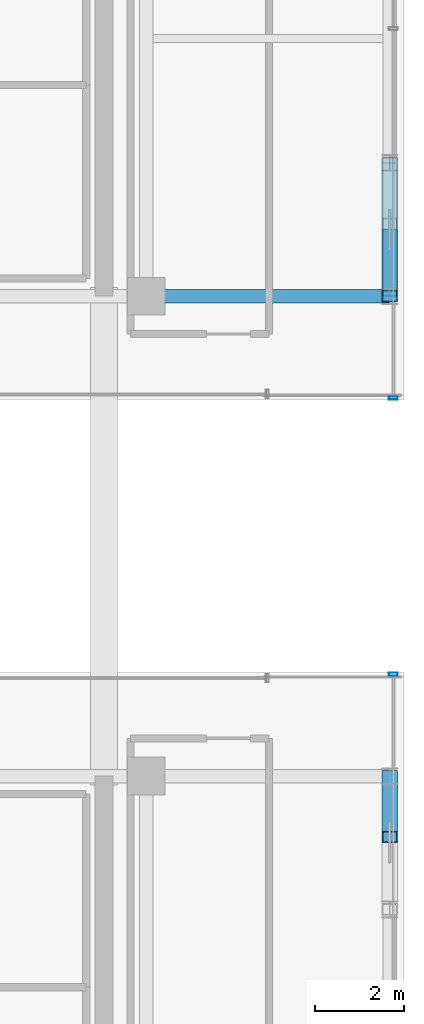
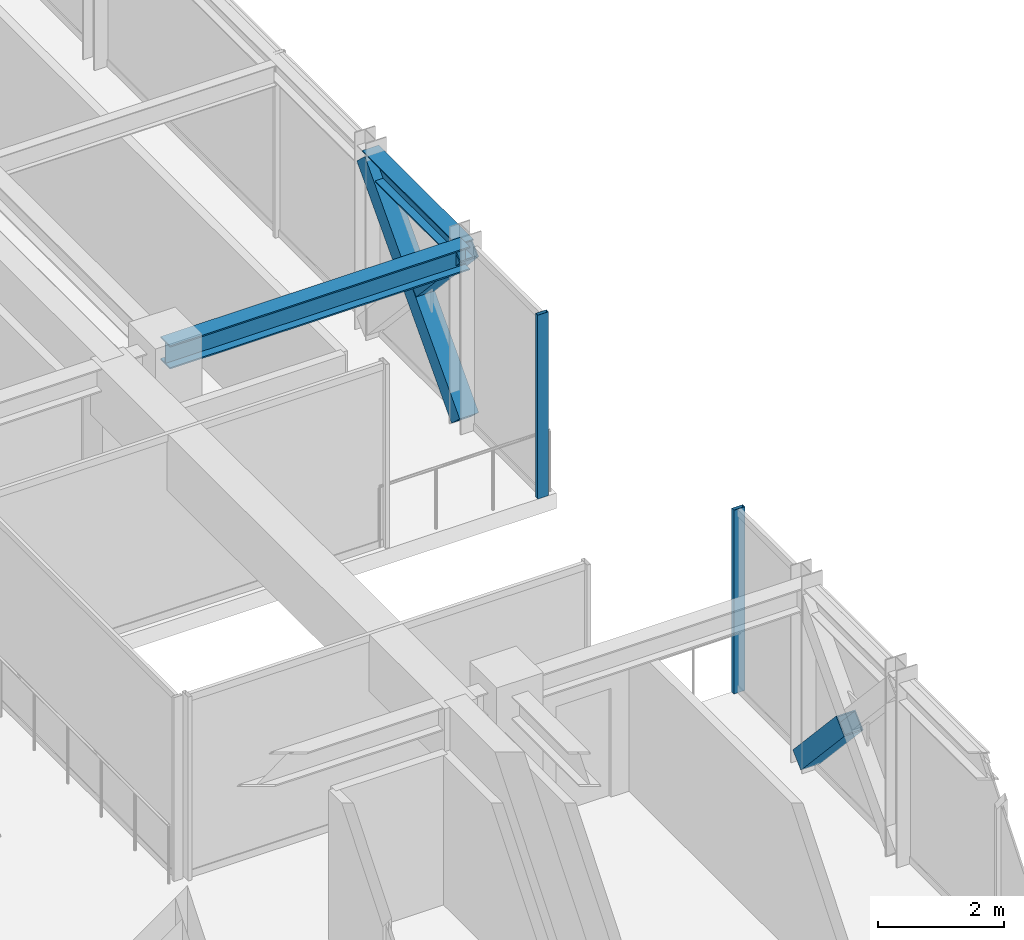
# One storey, part 22 of 40: 5 members, 2 beams, 2 elements without a shape of their own.
"""IFC4 building model written with IfcOpenShell, lengths in metres."""

from ifc_helpers import new_model, si_unit, direction, frame, origin, origin_2d, place, context, subcontext, project, spatial, hollow_rectangle, i_section, extrude, source, transform, mapped, material, material_profile, profile_set, type_object, element, aggregate, save


model = new_model("IFC4")

# Units and contexts
model_context = context("Model", 3, precision=1e-05, world=origin(), true_north=direction((0.0, 1.0)))
body_context = subcontext(model_context, "Body", "Model", "MODEL_VIEW")
ifc_project = project(units=[si_unit("LENGTHUNIT", "METRE"), si_unit("AREAUNIT", "SQUARE_METRE"), si_unit("VOLUMEUNIT", "CUBIC_METRE"), si_unit("PLANEANGLEUNIT", "RADIAN"), si_unit("MASSUNIT", "GRAM", prefix="KILO")], contexts=[model_context])

# Site, building, storey
site_placement = place(None, origin())
site = spatial("IfcSite", under=ifc_project, at=site_placement, CompositionType="ELEMENT")
building_placement = place(site_placement, origin())
building = spatial("IfcBuilding", under=site, at=building_placement, Name="Nahalor Promenade Grand Hotel", CompositionType="ELEMENT")
storey_placement = place(building_placement, frame((0.0, 0.0, 288.800048828125)))
storey = spatial("IfcBuildingStorey", under=building, at=storey_placement, Name="L74", CompositionType="ELEMENT", Elevation=288.800048828125)

# Beams
ifc_material_1 = material(Name="Steel S355JR", Category="steel")
ifc_material_profile_1 = material_profile(ifc_material_1, i_section(OverallWidth=0.3, OverallDepth=0.45, WebThickness=0.014, FlangeThickness=0.026, at=origin_2d()), Name="HEB 450")
ifc_profile_set_1 = profile_set([ifc_material_profile_1], Name="Steel S355JR")
beam_type_1 = type_object("IfcBeamType", Name="Beam-Girder-HEB450", PredefinedType="BEAM", material=ifc_profile_set_1)
shared_shape_1 = source(origin(), body_context, "Body", "SweptSolid", [
    extrude(i_section(OverallWidth=0.3, OverallDepth=0.45, WebThickness=0.014, FlangeThickness=0.026, at=origin_2d()), origin(), (0.0, 0.0, 1.0), 5.47998046875),
])
beam_1_placement = place(storey_placement, frame((17.0, 5.39990234375, 3.324951171875), z_axis=(1.0, 0.0, 0.0), x_axis=(0.0, 1.0, 0.0)))
element("IfcBeam", 1, at=beam_1_placement, inside=storey, type_object=beam_type_1, Name="BM-L74-GX-2-6", PredefinedType="BEAM", context=body_context, shape_type="MappedRepresentation", body=[
    mapped(shared_shape_1, transform((0.0, 0.0, 0.0), scale=1.0)),
])
ifc_material_profile_2 = material_profile(ifc_material_1, i_section(OverallWidth=0.3, OverallDepth=0.36, WebThickness=0.0125, FlangeThickness=0.0225, at=origin_2d()), Name="HEB 360")
ifc_profile_set_2 = profile_set([ifc_material_profile_2], Name="Steel S355JR")
beam_type_2 = type_object("IfcBeamType", Name="Beam-Spandrel-HEB360", PredefinedType="SPANDREL", material=ifc_profile_set_2)
shared_shape_2 = source(origin(), body_context, "Body", "SweptSolid", [
    extrude(i_section(OverallWidth=0.3, OverallDepth=0.36, WebThickness=0.0125, FlangeThickness=0.0225, at=origin_2d()), origin(), (0.0, 0.0, 1.0), 3.0),
])
beam_2_placement = place(storey_placement, frame((22.47998046875, 5.39990234375, 3.369873046875), z_axis=(0.0, 1.0, 0.0), x_axis=(-1.0, 0.0, 0.0)))
element("IfcBeam", 2, at=beam_2_placement, inside=storey, type_object=beam_type_2, Name="BM-L74-SP-E-3", PredefinedType="SPANDREL", context=body_context, shape_type="MappedRepresentation", body=[
    mapped(shared_shape_2, transform((0.0, 0.0, 0.0), scale=1.0)),
])

# Members
ifc_material_profile_3 = material_profile(ifc_material_1, hollow_rectangle(XDim=0.35, YDim=0.35, WallThickness=0.02, at=origin_2d()), Name="SHS 350x350x20")
ifc_profile_set_3 = profile_set([ifc_material_profile_3], Name="Steel S355JR")
member_type_1 = type_object("IfcMemberType", Name="Mem-VoidBrace-SHS350", PredefinedType="BRACE", material=ifc_profile_set_3)
shared_shape_3 = source(origin(), body_context, "Body", "SweptSolid", [
    extrude(hollow_rectangle(XDim=0.35, YDim=0.35, WallThickness=0.02, at=origin_2d()), origin(), (0.0, 0.0, 1.0), 4.4228515625),
])
member_1_placement = place(storey_placement, frame((22.47998046875, 5.39990234375, 0.14990234375), z_axis=(0.0, 0.678280102733, 0.734803444627), x_axis=(-1.0, 0.0, 0.0)))
element("IfcMember", 3, at=member_1_placement, inside=storey, type_object=member_type_1, Name="EXO-L74-VX1-E1", PredefinedType="BRACE", context=body_context, shape_type="MappedRepresentation", body=[
    mapped(shared_shape_3, transform((0.0, 0.0, 0.0), scale=1.0)),
])
shared_shape_4 = source(origin(), body_context, "Body", "SweptSolid", [
    extrude(hollow_rectangle(XDim=0.35, YDim=0.35, WallThickness=0.02, at=origin_2d()), origin(), (0.0, 0.0, 1.0), 2.02392578125),
])
for number, where, z_axis, x_axis, name in (
    (4, (22.47998046875, -5.39990234375, 0.14990234375), (0.0, -0.678255053132, 0.734826566545), (1.0, 0.0, 0.0), "EXO-L74-VX2-E0A"),
    (5, (22.47998046875, 6.772705078125, 1.912841796875), (0.0, -0.678315173958, 0.734771069639), (1.0, 0.0, 0.0), "EXO-L74-VX2-E1B"),
):
    element("IfcMember", number, at=place(storey_placement, frame(where, z_axis=z_axis, x_axis=x_axis)), inside=storey, type_object=member_type_1, Name=name, PredefinedType="BRACE", context=body_context, shape_type="MappedRepresentation", body=[
        mapped(shared_shape_4, transform((0.0, 0.0, 0.0), scale=1.0)),
    ])

# Curtain wall, member
ifc_material_2 = material(Name="Anodised Bronze Aluminium EN AW-6063 T6", Category="aluminium")
curtain_wall_type = type_object("IfcCurtainWallType", Name="CW3 Elliptical-Void Collar Unitised Curtain Wall", PredefinedType="USERDEFINED", material=ifc_material_2)
curtain_wall_1_placement = place(storey_placement, origin())
curtain_wall_1 = element("IfcCurtainWall", 6, at=curtain_wall_1_placement, inside=storey, type_object=curtain_wall_type, Name="L74 Curtain Wall CW-L74-E-1", ObjectType="UNITISED_CURTAIN_WALL", PredefinedType="USERDEFINED")
ifc_material_profile_4 = material_profile(ifc_material_2, hollow_rectangle(XDim=0.07, YDim=0.2, WallThickness=0.005, at=origin_2d()), Name="CWM 70x200x5")
ifc_profile_set_4 = profile_set([ifc_material_profile_4], Name="Anodised Bronze Aluminium EN AW-6063 T6")
member_type_2 = type_object("IfcMemberType", Name="CWM3 Void Collar Mullion 70x200", PredefinedType="MULLION", material=ifc_profile_set_4)
shared_shape_5 = source(origin(), body_context, "Body", "SweptSolid", [
    extrude(hollow_rectangle(XDim=0.07, YDim=0.2, WallThickness=0.005, at=origin_2d()), origin(), (0.0, 0.0, 1.0), 3.550048828125),
])
member_2_placement = place(storey_placement, frame((22.56005859375, -3.10595703125, 0.0), z_axis=(0.0, 0.0, 1.0), x_axis=(0.0, 1.0, 0.0)))
member_2 = element("IfcMember", 7, at=member_2_placement, type_object=member_type_2, Name="CW-L74-E-1 Mullion 2", PredefinedType="MULLION", context=body_context, shape_type="MappedRepresentation", body=[
    mapped(shared_shape_5, transform((0.0, 0.0, 0.0), scale=1.0)),
])
aggregate(curtain_wall_1, [member_2])

curtain_wall_2_placement = place(storey_placement, origin())
curtain_wall_2 = element("IfcCurtainWall", 8, at=curtain_wall_2_placement, inside=storey, type_object=curtain_wall_type, Name="L74 Curtain Wall CW-L74-E-2", ObjectType="UNITISED_CURTAIN_WALL", PredefinedType="USERDEFINED")
member_3_placement = place(storey_placement, frame((22.56005859375, 3.10595703125, 0.0), z_axis=(0.0, 0.0, 1.0), x_axis=(0.0, 1.0, 0.0)))
member_3 = element("IfcMember", 9, at=member_3_placement, type_object=member_type_2, Name="CW-L74-E-2 Mullion 0", PredefinedType="MULLION", context=body_context, shape_type="MappedRepresentation", body=[
    mapped(shared_shape_5, transform((0.0, 0.0, 0.0), scale=1.0)),
])
aggregate(curtain_wall_2, [member_3])

save(model, "model.ifc")
